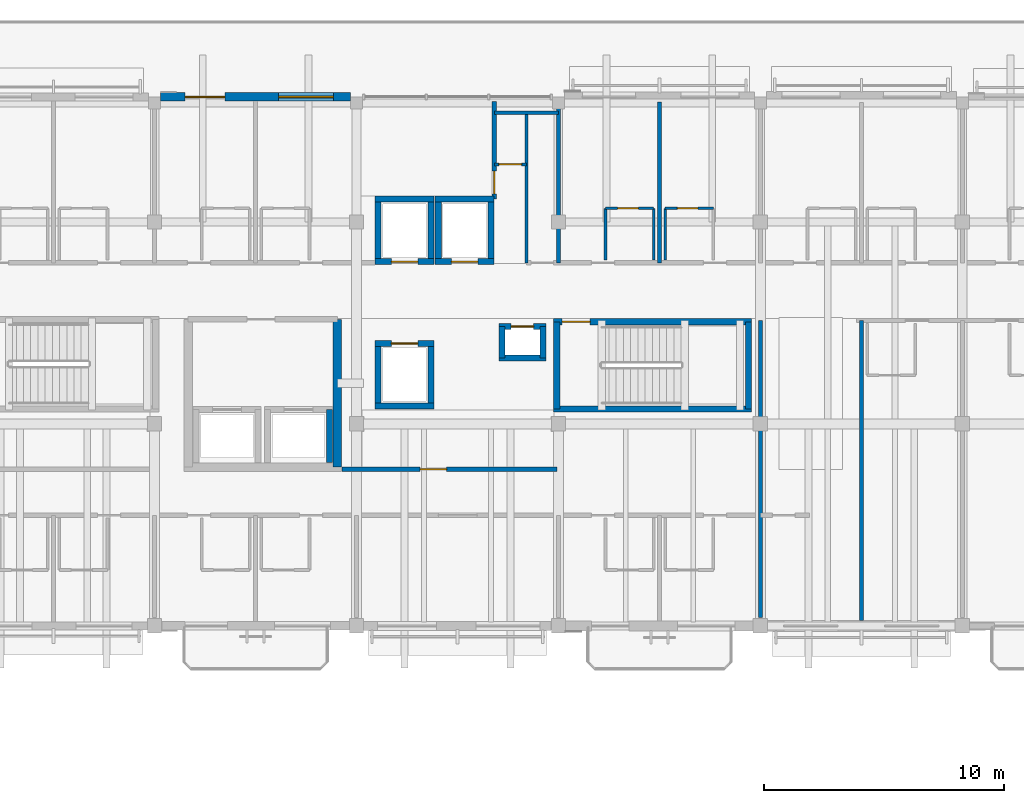
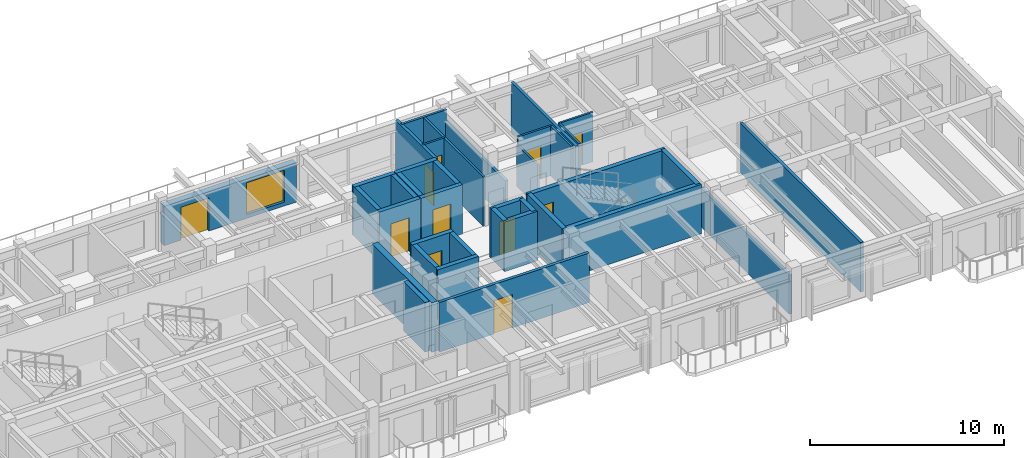
# One storey, part 13 of 22: 37 walls, 11 doors, 1 window, 12 openings.
"""IFC4 building model written with IfcOpenShell, lengths in metres."""

import ifcopenshell
import ifcopenshell.guid

model = None  # the IFC model being written
_history = None  # IfcOwnerHistory: only IFC2X3 demands one
_inside = {}  # id of a spatial element -> (the spatial element, [elements in it])
_under = {}  # id of a project, library or spatial element -> (it, [spatial elements below it])
_declared = {}  # id of a project -> (the project, [libraries it declares])
_typed = {}  # id of a type object -> (the type object, [elements of that type])
_made_of = {}  # id of a material, layer set ... -> (it, [elements and type objects made of it])


def new_model(schema):
    """Start an empty IFC model of exactly this schema.

    Asked for "IFC4X3", IfcOpenShell would pick the latest addendum, in which some entities
    have other attributes; the version numbers below select the first issue.
    IFC2X3 requires an IfcOwnerHistory on every rooted entity: one is made here for all.
    """
    global model, _history
    if schema == "IFC4X3":
        model = ifcopenshell.file(schema_version=(4, 3, 0, 0))
    else:
        model = ifcopenshell.file(schema=schema)
    _inside.clear()
    _under.clear()
    _declared.clear()
    _typed.clear()
    _made_of.clear()
    _history = None
    if model.schema == "IFC2X3":
        org = make("IfcOrganization", Name="unknown")
        user = make(
            "IfcPersonAndOrganization",
            ThePerson=make("IfcPerson", FamilyName="unknown"),
            TheOrganization=org,
        )
        app = make(
            "IfcApplication",
            ApplicationDeveloper=org,
            Version="unknown",
            ApplicationFullName="unknown",
            ApplicationIdentifier="unknown",
        )
        _history = make(
            "IfcOwnerHistory",
            OwningUser=user,
            OwningApplication=app,
            ChangeAction="ADDED",
            CreationDate=0,
        )
    return model


def make(cls, **values):
    """One entity of the class cls with the attributes given. An attribute that is None is left unset."""
    return model.create_entity(
        cls, **{name: value for name, value in values.items() if value is not None}
    )


def rooted(cls, **values):
    """An entity with a GlobalId (a new one), such as an element, a storey or a relation."""
    return make(cls, GlobalId=ifcopenshell.guid.new(), OwnerHistory=_history, **values)


def si_unit(unit_type, name, prefix=None):
    """IfcSIUnit, for example si_unit("LENGTHUNIT", "METRE", prefix="MILLI")."""
    return make("IfcSIUnit", UnitType=unit_type, Prefix=prefix, Name=name)


def assignment(units):
    """IfcUnitAssignment: the units of a project."""
    return None if units is None else make("IfcUnitAssignment", Units=units)


def point(xyz):
    """IfcCartesianPoint."""
    return None if xyz is None else make("IfcCartesianPoint", Coordinates=xyz)


def direction(xyz):
    """IfcDirection."""
    return None if xyz is None else make("IfcDirection", DirectionRatios=xyz)


def frame(location, z_axis=None, x_axis=None):
    """IfcAxis2Placement3D, a coordinate frame: its origin and axes. An axis left out is left unset."""
    return make(
        "IfcAxis2Placement3D",
        Location=point(location),
        Axis=direction(z_axis),
        RefDirection=direction(x_axis),
    )


def frame_2d(location, x_axis=None):
    """IfcAxis2Placement2D, a coordinate frame in the plane: its origin and x axis."""
    return make(
        "IfcAxis2Placement2D", Location=point(location), RefDirection=direction(x_axis)
    )


def origin():
    """The frame at (0, 0, 0) with its axes left unset."""
    return frame((0.0, 0.0, 0.0))


def place(relative_to, where):
    """IfcLocalPlacement: puts the frame where relative to a parent placement (None: the world)."""
    return make(
        "IfcLocalPlacement", PlacementRelTo=relative_to, RelativePlacement=where
    )


def context(
    kind, dimensions, precision=None, world=None, true_north=None, identifier=None
):
    """IfcGeometricRepresentationContext, for example the 3D "Model" context."""
    return make(
        "IfcGeometricRepresentationContext",
        ContextIdentifier=identifier,
        ContextType=kind,
        CoordinateSpaceDimension=dimensions,
        Precision=precision,
        WorldCoordinateSystem=world,
        TrueNorth=true_north,
    )


def subcontext(parent, identifier, kind, view, scale=None):
    """IfcGeometricRepresentationSubContext, for example "Body" below "Model"."""
    return make(
        "IfcGeometricRepresentationSubContext",
        ContextIdentifier=identifier,
        ContextType=kind,
        ParentContext=parent,
        TargetScale=scale,
        TargetView=view,
    )


def project(units=None, contexts=None):
    """IfcProject with its units and contexts."""
    return rooted(
        "IfcProject",
        Name="project",
        RepresentationContexts=contexts,
        UnitsInContext=assignment(units),
    )


def spatial(cls, under=None, at=None, **own):
    """A site, building, storey or space (cls), placed at a placement, below another one or the project."""
    s = rooted(cls, ObjectPlacement=at, **own)
    if under is not None:
        _under.setdefault(under.id(), (under, []))[1].append(s)
    return s


def profile(cls, at=None, kind="AREA", **sizes):
    """A parametric profile (cls). Its sizes go by their IFC names, for example OverallWidth=200.0."""
    return make(cls, ProfileType=kind, Position=at, **sizes)


def rectangle(**sizes):
    """IfcRectangleProfileDef."""
    return profile("IfcRectangleProfileDef", **sizes)


def extrude(swept, where, along, depth):
    """IfcExtrudedAreaSolid: the profile swept, set in the frame where, extruded along a direction by depth."""
    return make(
        "IfcExtrudedAreaSolid",
        SweptArea=swept,
        Position=where,
        ExtrudedDirection=direction(along),
        Depth=depth,
    )


def shape(context_of_items, identifier, shape_type, items):
    """IfcShapeRepresentation: the items that make up one representation, for example the "Body"."""
    return make(
        "IfcShapeRepresentation",
        ContextOfItems=context_of_items,
        RepresentationIdentifier=identifier,
        RepresentationType=shape_type,
        Items=items,
    )


def material(Name=None, Category=None):
    """IfcMaterial."""
    return make("IfcMaterial", Name=Name, Category=Category)


def layer(
    of_material, thickness, ventilated=None, Name=None, Category=None, Priority=None
):
    """IfcMaterialLayer: one layer of a wall or slab, of a material (None: an air gap)."""
    return make(
        "IfcMaterialLayer",
        Material=of_material,
        LayerThickness=thickness,
        IsVentilated=ventilated,
        Name=Name,
        Category=Category,
        Priority=Priority,
    )


def layer_set(layers, Name=None):
    """IfcMaterialLayerSet."""
    return make("IfcMaterialLayerSet", MaterialLayers=layers, LayerSetName=Name)


def made_of(thing, what):
    """Note that an element or type object is made of a material, layer set ...; save() writes the relation."""
    if what is not None:
        _made_of.setdefault(what.id(), (what, []))[1].append(thing)
    return thing


def type_object(cls, material=None, **own):
    """A type object (cls), such as IfcWallType, which elements share."""
    return made_of(rooted(cls, **own), material)


def element(
    cls,
    number,
    at=None,
    inside=None,
    cuts=None,
    type_object=None,
    material=None,
    context=None,
    identifier="Body",
    shape_type=None,
    held_by="IfcProductDefinitionShape",
    body=None,
    shapes=None,
    **own,
):
    """One element of the class cls, such as IfcWall. Its Tag is "e" and its number.

    at: its placement. inside: the storey or other place that contains it. cuts: it is an
    opening in that element (IfcRelVoidsElement). A single representation is given by context,
    identifier, shape_type and body (its items); several are given by shapes. held_by: the class
    of the entity that holds the representations. save() writes the other relations.
    """
    e = rooted(cls, Tag="e%d" % number, ObjectPlacement=at, **own)
    if body is not None:
        shapes = [shape(context, identifier, shape_type, body)]
    if shapes is not None:
        e.Representation = make(held_by, Representations=shapes)
    if inside is not None:
        _inside.setdefault(inside.id(), (inside, []))[1].append(e)
    if cuts is not None:
        rooted(
            "IfcRelVoidsElement", RelatingBuildingElement=cuts, RelatedOpeningElement=e
        )
    if type_object is not None:
        _typed.setdefault(type_object.id(), (type_object, []))[1].append(e)
    return made_of(e, material)


def fill(opening, filler):
    """IfcRelFillsElement: the door or window that sits in an opening."""
    return rooted(
        "IfcRelFillsElement",
        RelatingOpeningElement=opening,
        RelatedBuildingElement=filler,
    )


def aggregate(whole, parts):
    """IfcRelAggregates: a whole, such as a stair, and the parts it consists of."""
    return rooted("IfcRelAggregates", RelatingObject=whole, RelatedObjects=parts)


def save(model, path):
    """Write the relations noted so far, then the file.

    IfcRelAggregates (storeys below a building ...), IfcRelContainedInSpatialStructure (elements
    in a storey), IfcRelDefinesByType, IfcRelAssociatesMaterial and IfcRelDeclares: one each for
    every whole, place, type object, material and project.
    """
    for whole, parts in _under.values():
        aggregate(whole, parts)
    for where, things in _inside.values():
        rooted(
            "IfcRelContainedInSpatialStructure",
            RelatedElements=things,
            RelatingStructure=where,
        )
    for kind, things in _typed.values():
        rooted("IfcRelDefinesByType", RelatedObjects=things, RelatingType=kind)
    for what, things in _made_of.values():
        rooted("IfcRelAssociatesMaterial", RelatedObjects=things, RelatingMaterial=what)
    for by, libraries in _declared.values():
        rooted("IfcRelDeclares", RelatingContext=by, RelatedDefinitions=libraries)
    model.write(path)


model = new_model("IFC4")

# Units and contexts
model_context = context("Model", 3, precision=1e-05, world=origin(), true_north=direction((0.0, 1.0)))
body_context = subcontext(model_context, "Body", "Model", "MODEL_VIEW")
ifc_project = project(units=[si_unit("LENGTHUNIT", "METRE"), si_unit("AREAUNIT", "SQUARE_METRE"), si_unit("VOLUMEUNIT", "CUBIC_METRE"), si_unit("PLANEANGLEUNIT", "RADIAN"), si_unit("MASSUNIT", "GRAM", prefix="KILO")], contexts=[model_context])

# Site, building, storey
site_placement = place(None, origin())
site = spatial("IfcSite", under=ifc_project, at=site_placement, CompositionType="ELEMENT")
building_placement = place(site_placement, origin())
building = spatial("IfcBuilding", under=site, at=building_placement, Name="Cumbredor Promenade Congress Hotel", CompositionType="ELEMENT")
storey_placement = place(building_placement, frame((0.0, 0.0, 28.56005859375)))
storey = spatial("IfcBuildingStorey", under=building, at=storey_placement, Name="L08", CompositionType="ELEMENT", Elevation=28.56005859375)

# Wall
ifc_material_1 = material(Name="Concrete C50/60", Category="concrete")
ifc_layer_1 = layer(ifc_material_1, 0.35009765625, Name="Concrete C50/60", Category="concrete")
ifc_layer_set_1 = layer_set([ifc_layer_1], Name="Concrete C50/60")
wall_type_1 = type_object("IfcWallType", Name="Seismic Shear Core Wall 350mm", PredefinedType="SHEAR", material=ifc_layer_set_1)
wall_1_placement = place(storey_placement, frame((32.800048828125, 99.0, 0.0), z_axis=(0.0, 0.0, 1.0), x_axis=(0.0, 1.0, 0.0)))
element("IfcWall", 1, at=wall_1_placement, inside=storey, type_object=wall_type_1, Name="L08 Hotel Core Shear Wall E1", PredefinedType="SHEAR", context=body_context, shape_type="SweptSolid", body=[
    extrude(rectangle(XDim=6.14990234375, YDim=0.35009765625, at=frame_2d((3.074951171875, 0.0))), origin(), (0.0, 0.0, 1.0), 3.119873046875),
])

# Wall, opening, door
ifc_material_2 = material(Name="Moisture-resistant gypsum board on steel studs", Category="steel")
ifc_layer_2 = layer(ifc_material_2, 0.114990234375, Name="Moisture-resistant gypsum board on steel studs", Category="steel")
ifc_layer_set_2 = layer_set([ifc_layer_2], Name="Moisture-resistant gypsum board on steel studs")
wall_type_2 = type_object("IfcWallType", Name="WL-BATH-115", PredefinedType="PARTITIONING", material=ifc_layer_set_2)
wall_2_placement = place(storey_placement, frame((43.9599609375, 109.77001953125, 0.0), z_axis=(0.0, 0.0, 1.0), x_axis=(1.0, 0.0, 0.0)))
wall_2 = element("IfcWall", 2, at=wall_2_placement, inside=storey, type_object=wall_type_2, Name="L08 Interior Partition W-L08-BH-0806", PredefinedType="PARTITIONING", context=body_context, shape_type="SweptSolid", body=[
    extrude(rectangle(XDim=2.0, YDim=0.114990234375, at=frame_2d((1.0, 0.0))), origin(), (0.0, 0.0, 1.0), 3.119873046875),
])
opening_1_placement = place(wall_2_placement, frame((0.5, 0.0, 0.0)))
opening_1 = element("IfcOpeningElement", 3, at=opening_1_placement, cuts=wall_2, Name="Opening ID-01", PredefinedType="OPENING", context=body_context, shape_type="SweptSolid", body=[
    extrude(rectangle(XDim=0.860107421875, YDim=2.050048828125, at=frame_2d((0.43017578125, 1.02490234375))), frame((0.0, 0.0673828125, 0.0), z_axis=(0.0, -1.0, 0.0), x_axis=(1.0, 0.0, 0.0)), (0.0, 0.0, 1.0), 0.135009765625),
])
ifc_material_3 = material(Name="Kiln-dried tropical hardwood", Category="wood")
door_type_1 = type_object("IfcDoorType", Name="DR-BATH-860", OperationType="NOTDEFINED", PredefinedType="DOOR", material=ifc_material_3)
door_1_placement = place(opening_1_placement, origin())
door_1 = element("IfcDoor", 4, at=door_1_placement, inside=storey, type_object=door_type_1, Name="L08 Interior Door W-L08-BH-0806-01", OperationType="SINGLE_SWING_RIGHT", OverallHeight=2.050048828125, OverallWidth=0.860107421875, PredefinedType="DOOR", context=body_context, shape_type="SweptSolid", body=[
    extrude(rectangle(XDim=0.860107421875, YDim=2.050048828125, at=frame_2d((0.43017578125, 1.02490234375))), frame((0.0, 0.02490234375, 0.0), z_axis=(0.0, -1.0, 0.0), x_axis=(1.0, 0.0, 0.0)), (0.0, 0.0, 1.0), 0.050048828125),
])
fill(opening_1, door_1)

# Walls
wall_3_placement = place(storey_placement, frame((43.9599609375, 107.6201171875, 0.0), z_axis=(0.0, 0.0, 1.0), x_axis=(0.0, 1.0, 0.0)))
element("IfcWall", 5, at=wall_3_placement, inside=storey, type_object=wall_type_2, Name="L08 Interior Partition W-L08-BV1-0806", PredefinedType="PARTITIONING", context=body_context, shape_type="SweptSolid", body=[
    extrude(rectangle(XDim=2.14990234375, YDim=0.114990234375, at=frame_2d((1.074951171875, 0.0))), origin(), (0.0, 0.0, 1.0), 2.641845703125),
])
wall_4_placement = place(storey_placement, frame((45.9599609375, 107.6201171875, 0.0), z_axis=(0.0, 0.0, 1.0), x_axis=(0.0, 1.0, 0.0)))
element("IfcWall", 6, at=wall_4_placement, inside=storey, type_object=wall_type_2, Name="L08 Interior Partition W-L08-BV2-0806", PredefinedType="PARTITIONING", context=body_context, shape_type="SweptSolid", body=[
    extrude(rectangle(XDim=2.14990234375, YDim=0.114990234375, at=frame_2d((1.074951171875, 0.0))), origin(), (0.0, 0.0, 1.0), 3.119873046875),
])

# Wall, opening, door
wall_5_placement = place(storey_placement, frame((46.43994140625, 109.77001953125, 0.0), z_axis=(0.0, 0.0, 1.0), x_axis=(1.0, 0.0, 0.0)))
wall_5 = element("IfcWall", 7, at=wall_5_placement, inside=storey, type_object=wall_type_2, Name="L08 Interior Partition W-L08-BH-0807", PredefinedType="PARTITIONING", context=body_context, shape_type="SweptSolid", body=[
    extrude(rectangle(XDim=2.0, YDim=0.114990234375, at=frame_2d((1.0, 0.0))), origin(), (0.0, 0.0, 1.0), 3.119873046875),
])
opening_2_placement = place(wall_5_placement, frame((0.5, 0.0, 0.0)))
opening_2 = element("IfcOpeningElement", 8, at=opening_2_placement, cuts=wall_5, Name="Opening ID-01", PredefinedType="OPENING", context=body_context, shape_type="SweptSolid", body=[
    extrude(rectangle(XDim=0.860107421875, YDim=2.050048828125, at=frame_2d((0.43017578125, 1.02490234375))), frame((0.0, 0.0673828125, 0.0), z_axis=(0.0, -1.0, 0.0), x_axis=(1.0, 0.0, 0.0)), (0.0, 0.0, 1.0), 0.135009765625),
])
door_2_placement = place(opening_2_placement, origin())
door_2 = element("IfcDoor", 9, at=door_2_placement, inside=storey, type_object=door_type_1, Name="L08 Interior Door W-L08-BH-0807-01", OperationType="SINGLE_SWING_LEFT", OverallHeight=2.050048828125, OverallWidth=0.860107421875, PredefinedType="DOOR", context=body_context, shape_type="SweptSolid", body=[
    extrude(rectangle(XDim=0.860107421875, YDim=2.050048828125, at=frame_2d((0.43017578125, 1.02490234375))), frame((0.0, 0.02490234375, 0.0), z_axis=(0.0, -1.0, 0.0), x_axis=(1.0, 0.0, 0.0)), (0.0, 0.0, 1.0), 0.050048828125),
])
fill(opening_2, door_2)

# Wall
wall_6_placement = place(storey_placement, frame((46.43994140625, 107.6201171875, 0.0), z_axis=(0.0, 0.0, 1.0), x_axis=(0.0, 1.0, 0.0)))
element("IfcWall", 10, at=wall_6_placement, inside=storey, type_object=wall_type_2, Name="L08 Interior Partition W-L08-BV1-0807", PredefinedType="PARTITIONING", context=body_context, shape_type="SweptSolid", body=[
    extrude(rectangle(XDim=2.14990234375, YDim=0.114990234375, at=frame_2d((1.074951171875, 0.0))), origin(), (0.0, 0.0, 1.0), 3.119873046875),
])

# Wall, opening, door
ifc_material_4 = material(Name="Fire-rated hotel corridor wall")
ifc_layer_3 = layer(ifc_material_4, 0.179931640625, Name="Fire-rated hotel corridor wall")
ifc_layer_set_3 = layer_set([ifc_layer_3], Name="Fire-rated hotel corridor wall")
wall_type_3 = type_object("IfcWallType", Name="WL-CORR-180", PredefinedType="PARTITIONING", material=ifc_layer_set_3)
wall_7_placement = place(storey_placement, frame((39.330078125, 110.14990234375, 0.0), z_axis=(0.0, 0.0, 1.0), x_axis=(0.0, 1.0, 0.0)))
wall_7 = element("IfcWall", 11, at=wall_7_placement, inside=storey, type_object=wall_type_3, Name="L08 Interior Partition W-L08-SALON-E", PredefinedType="PARTITIONING", context=body_context, shape_type="SweptSolid", body=[
    extrude(rectangle(XDim=4.06005859375, YDim=0.179931640625, at=frame_2d((2.030029296875, 0.0))), origin(), (0.0, 0.0, 1.0), 3.119873046875),
])
opening_3_placement = place(wall_7_placement, frame((0.219970703125, 0.0, 0.0)))
opening_3 = element("IfcOpeningElement", 12, at=opening_3_placement, cuts=wall_7, Name="Opening FD-03", PredefinedType="OPENING", context=body_context, shape_type="SweptSolid", body=[
    extrude(rectangle(XDim=0.93994140625, YDim=2.10009765625, at=frame_2d((0.469970703125, 1.050048828125))), frame((0.0, 0.10009765625, 0.0), z_axis=(0.0, -1.0, 0.0), x_axis=(1.0, 0.0, 0.0)), (0.0, 0.0, 1.0), 0.199951171875),
])
ifc_material_5 = material(Name="Painted galvanized steel fire door", Category="steel")
door_type_2 = type_object("IfcDoorType", Name="DR-SGL-FD60-950", OperationType="NOTDEFINED", PredefinedType="DOOR", material=ifc_material_5)
door_3_placement = place(opening_3_placement, origin())
door_3 = element("IfcDoor", 13, at=door_3_placement, inside=storey, type_object=door_type_2, Name="L08 Interior Door W-L08-SALON-E-01", OperationType="SINGLE_SWING_LEFT", OverallHeight=2.10009765625, OverallWidth=0.93994140625, PredefinedType="DOOR", context=body_context, shape_type="SweptSolid", body=[
    extrude(rectangle(XDim=0.93994140625, YDim=2.10009765625, at=frame_2d((0.469970703125, 1.050048828125))), frame((0.0, 0.02490234375, 0.0), z_axis=(0.0, -1.0, 0.0), x_axis=(1.0, 0.0, 0.0)), (0.0, 0.0, 1.0), 0.050048828125),
])
fill(opening_3, door_3)

wall_8_placement = place(storey_placement, frame((33.0, 98.919921875, 0.0), z_axis=(0.0, 0.0, 1.0), x_axis=(1.0, 0.0, 0.0)))
wall_8 = element("IfcWall", 14, at=wall_8_placement, inside=storey, type_object=wall_type_3, Name="L08 Interior Partition W-L08-BIZ-S", PredefinedType="PARTITIONING", context=body_context, shape_type="SweptSolid", body=[
    extrude(rectangle(XDim=8.929931640625, YDim=0.179931640625, at=frame_2d((4.46484375, 0.0))), origin(), (0.0, 0.0, 1.0), 3.119873046875),
])
opening_4_placement = place(wall_8_placement, frame((3.25, 0.0, 0.0)))
opening_4 = element("IfcOpeningElement", 15, at=opening_4_placement, cuts=wall_8, Name="Opening FD-04", PredefinedType="OPENING", context=body_context, shape_type="SweptSolid", body=[
    extrude(rectangle(XDim=1.10009765625, YDim=2.10009765625, at=frame_2d((0.550048828125, 1.050048828125))), frame((0.0, 0.10009765625, 0.0), z_axis=(0.0, -1.0, 0.0), x_axis=(1.0, 0.0, 0.0)), (0.0, 0.0, 1.0), 0.199951171875),
])
door_type_3 = type_object("IfcDoorType", Name="DR-SGL-FD60-1100", OperationType="NOTDEFINED", PredefinedType="DOOR", material=ifc_material_5)
door_4_placement = place(opening_4_placement, origin())
door_4 = element("IfcDoor", 16, at=door_4_placement, inside=storey, type_object=door_type_3, Name="L08 Interior Door W-L08-BIZ-S-01", OperationType="SINGLE_SWING_RIGHT", OverallHeight=2.10009765625, OverallWidth=1.10009765625, PredefinedType="DOOR", context=body_context, shape_type="SweptSolid", body=[
    extrude(rectangle(XDim=1.10009765625, YDim=2.10009765625, at=frame_2d((0.550048828125, 1.050048828125))), frame((0.0, 0.02490234375, 0.0), z_axis=(0.0, -1.0, 0.0), x_axis=(1.0, 0.0, 0.0)), (0.0, 0.0, 1.0), 0.050048828125),
])
fill(opening_4, door_4)

# Wall, openings, door, window
ifc_material_6 = material(Name="Concrete C40/50", Category="concrete")
ifc_layer_4 = layer(ifc_material_6, 0.35009765625, Name="Concrete C40/50", Category="concrete")
ifc_layer_set_4 = layer_set([ifc_layer_4], Name="Concrete C40/50")
wall_type_4 = type_object("IfcWallType", Name="WL-EXT-350", PredefinedType="SOLIDWALL", material=ifc_layer_set_4)
wall_9_placement = place(storey_placement, frame((25.450927734375, 114.39990234375, 0.0), z_axis=(0.0, 0.0, 1.0), x_axis=(1.0, 0.0, 0.0)))
wall_9 = element("IfcWall", 17, at=wall_9_placement, inside=storey, type_object=wall_type_4, Name="L08 Stepped Congress Hotel Wing North Envelope Wall 3", PredefinedType="SOLIDWALL", context=body_context, shape_type="SweptSolid", body=[
    extrude(rectangle(XDim=7.898193359375, YDim=0.35009765625, at=frame_2d((3.94921875, 0.0))), origin(), (0.0, 0.0, 1.0), 2.493896484375),
])
opening_5_placement = place(wall_9_placement, frame((1.02392578125, 0.0, 0.0)))
opening_5 = element("IfcOpeningElement", 18, at=opening_5_placement, cuts=wall_9, Name="Opening TD-02", PredefinedType="OPENING", context=body_context, shape_type="SweptSolid", body=[
    extrude(rectangle(XDim=1.64990234375, YDim=2.080078125, at=frame_2d((0.824951171875, 1.0400390625))), frame((0.0, 0.18505859375, 0.0), z_axis=(0.0, -1.0, 0.0), x_axis=(1.0, 0.0, 0.0)), (0.0, 0.0, 1.0), 0.3701171875),
])
opening_6_placement = place(wall_9_placement, frame((4.908935546875, 0.0, 0.25)))
opening_6 = element("IfcOpeningElement", 19, at=opening_6_placement, cuts=wall_9, Name="Opening WN-40", PredefinedType="OPENING", context=body_context, shape_type="SweptSolid", body=[
    extrude(rectangle(XDim=2.280029296875, YDim=2.0, at=frame_2d((1.14013671875, 1.0))), frame((0.0, 0.18505859375, 0.0), z_axis=(0.0, -1.0, 0.0), x_axis=(1.0, 0.0, 0.0)), (0.0, 0.0, 1.0), 0.3701171875),
])
ifc_material_7 = material(Name="Thermally broken anodized aluminium and laminated safety glass", Category="aluminium")
door_type_4 = type_object("IfcDoorType", Name="EXT-DR-TER-1650x2080", OperationType="DOUBLE_DOOR_SINGLE_SWING", PredefinedType="DOOR", material=ifc_material_7)
door_5_placement = place(opening_5_placement, origin())
door_5 = element("IfcDoor", 20, at=door_5_placement, inside=storey, type_object=door_type_4, Name="L08 Sky Garden Terrace Access Door 86", OperationType="DOUBLE_DOOR_SINGLE_SWING", OverallHeight=2.080078125, OverallWidth=1.64990234375, PredefinedType="DOOR", context=body_context, shape_type="SweptSolid", body=[
    extrude(rectangle(XDim=1.64990234375, YDim=2.080078125, at=frame_2d((0.824951171875, 1.0400390625))), frame((0.0, 0.02490234375, 0.0), z_axis=(0.0, -1.0, 0.0), x_axis=(1.0, 0.0, 0.0)), (0.0, 0.0, 1.0), 0.050048828125),
])
fill(opening_5, door_5)
ifc_material_8 = material(Name="Thermally broken anodized aluminium and low-E glass", Category="aluminium")
window_type = type_object("IfcWindowType", Name="Hospitality Floor-to-Ceiling Window WN-40 2280x2000", PartitioningType="DOUBLE_PANEL_VERTICAL", PredefinedType="WINDOW", material=ifc_material_8)
window_placement = place(opening_6_placement, origin())
window = element("IfcWindow", 21, at=window_placement, inside=storey, type_object=window_type, Name="L08 Terrace Companion Floor-to-Ceiling Window 0662", OverallHeight=2.0, OverallWidth=2.280029296875, PartitioningType="DOUBLE_PANEL_VERTICAL", PredefinedType="WINDOW", context=body_context, shape_type="SweptSolid", body=[
    extrude(rectangle(XDim=2.280029296875, YDim=2.0, at=frame_2d((1.14013671875, 1.0))), frame((0.0, 0.030029296875, 0.0), z_axis=(0.0, -1.0, 0.0), x_axis=(1.0, 0.0, 0.0)), (0.0, 0.0, 1.0), 0.06005859375),
])
fill(opening_6, window)

# Wall, opening, door
ifc_material_9 = material(Name="Gypsum board on steel studs", Category="steel")
ifc_layer_5 = layer(ifc_material_9, 0.125, Name="Gypsum board on steel studs", Category="steel")
ifc_layer_set_5 = layer_set([ifc_layer_5], Name="Gypsum board on steel studs")
wall_type_5 = type_object("IfcWallType", Name="WL-PART-125", PredefinedType="PARTITIONING", material=ifc_layer_set_5)
wall_10_placement = place(storey_placement, frame((39.330078125, 111.60009765625, 0.0), z_axis=(0.0, 0.0, 1.0), x_axis=(1.0, 0.0, 0.0)))
wall_10 = element("IfcWall", 22, at=wall_10_placement, inside=storey, type_object=wall_type_5, Name="L08 Interior Partition W-L08-HK-S", PredefinedType="PARTITIONING", context=body_context, shape_type="SweptSolid", body=[
    extrude(rectangle(XDim=1.329833984375, YDim=0.125, at=frame_2d((0.6650390625, 0.0))), origin(), (0.0, 0.0, 1.0), 3.119873046875),
])
opening_7_placement = place(wall_10_placement, frame((0.195068359375, 0.0, 0.0)))
opening_7 = element("IfcOpeningElement", 23, at=opening_7_placement, cuts=wall_10, Name="Opening FD-03", PredefinedType="OPENING", context=body_context, shape_type="SweptSolid", body=[
    extrude(rectangle(XDim=0.93994140625, YDim=2.10009765625, at=frame_2d((0.469970703125, 1.050048828125))), frame((0.0, 0.072509765625, 0.0), z_axis=(0.0, -1.0, 0.0), x_axis=(1.0, 0.0, 0.0)), (0.0, 0.0, 1.0), 0.14501953125),
])
door_6_placement = place(opening_7_placement, origin())
door_6 = element("IfcDoor", 24, at=door_6_placement, inside=storey, type_object=door_type_2, Name="L08 Interior Door W-L08-HK-S-01", OperationType="SINGLE_SWING_LEFT", OverallHeight=2.10009765625, OverallWidth=0.93994140625, PredefinedType="DOOR", context=body_context, shape_type="SweptSolid", body=[
    extrude(rectangle(XDim=0.93994140625, YDim=2.10009765625, at=frame_2d((0.469970703125, 1.050048828125))), frame((0.0, 0.02490234375, 0.0), z_axis=(0.0, -1.0, 0.0), x_axis=(1.0, 0.0, 0.0)), (0.0, 0.0, 1.0), 0.050048828125),
])
fill(opening_7, door_6)

# Walls
wall_11_placement = place(storey_placement, frame((40.659912109375, 107.5, 0.0), z_axis=(0.0, 0.0, 1.0), x_axis=(0.0, 1.0, 0.0)))
element("IfcWall", 25, at=wall_11_placement, inside=storey, type_object=wall_type_5, Name="L08 Interior Partition W-L08-HK-DIV", PredefinedType="PARTITIONING", context=body_context, shape_type="SweptSolid", body=[
    extrude(rectangle(XDim=6.25, YDim=0.125, at=frame_2d((3.125, 0.0))), origin(), (0.0, 0.0, 1.0), 3.119873046875),
])
ifc_material_10 = material(Name="Acoustic gypsum partition on steel studs", Category="steel")
ifc_layer_6 = layer(ifc_material_10, 0.139892578125, Name="Acoustic gypsum partition on steel studs", Category="steel")
ifc_layer_set_6 = layer_set([ifc_layer_6], Name="Acoustic gypsum partition on steel studs")
wall_type_6 = type_object("IfcWallType", Name="WL-PART-140", PredefinedType="PARTITIONING", material=ifc_layer_set_6)
wall_12_placement = place(storey_placement, frame((39.330078125, 113.75, 0.0), z_axis=(0.0, 0.0, 1.0), x_axis=(1.0, 0.0, 0.0)))
element("IfcWall", 26, at=wall_12_placement, inside=storey, type_object=wall_type_6, Name="L08 Interior Partition W-L08-HK-N", PredefinedType="PARTITIONING", context=body_context, shape_type="SweptSolid", body=[
    extrude(rectangle(XDim=2.669921875, YDim=0.139892578125, at=frame_2d((1.3349609375, 0.0))), origin(), (0.0, 0.0, 1.0), 3.119873046875),
])
ifc_layer_7 = layer(ifc_material_6, 0.2548828125, Name="Concrete C40/50", Category="concrete")
ifc_layer_set_7 = layer_set([ifc_layer_7], Name="Concrete C40/50")
wall_type_7 = type_object("IfcWallType", Name="WL-SHAFT-250", PredefinedType="SOLIDWALL", material=ifc_layer_set_7)
wall_13_placement = place(storey_placement, frame((41.802490234375, 101.419921875, 0.0), z_axis=(0.0, 0.0, 1.0), x_axis=(1.0, 0.0, 0.0)))
element("IfcWall", 27, at=wall_13_placement, inside=storey, type_object=wall_type_7, Name="STAIR-ST-03-L08 Shaft Wall South", PredefinedType="SOLIDWALL", context=body_context, shape_type="SweptSolid", body=[
    extrude(rectangle(XDim=8.22509765625, YDim=0.2548828125, at=frame_2d((4.112548828125, 0.0))), origin(), (0.0, 0.0, 1.0), 3.119873046875),
])

# Wall, opening, door
wall_14_placement = place(storey_placement, frame((41.802490234375, 105.050048828125, 0.0), z_axis=(0.0, 0.0, 1.0), x_axis=(1.0, 0.0, 0.0)))
wall_14 = element("IfcWall", 28, at=wall_14_placement, inside=storey, type_object=wall_type_7, Name="STAIR-ST-03-L08 Shaft Wall North", PredefinedType="SOLIDWALL", context=body_context, shape_type="SweptSolid", body=[
    extrude(rectangle(XDim=8.22509765625, YDim=0.2548828125, at=frame_2d((4.112548828125, 0.0))), origin(), (0.0, 0.0, 1.0), 3.119873046875),
])
opening_8_placement = place(wall_14_placement, frame((0.35009765625, 0.0, 0.0)))
opening_8 = element("IfcOpeningElement", 29, at=opening_8_placement, cuts=wall_14, Name="Opening SD-01", PredefinedType="OPENING", context=body_context, shape_type="SweptSolid", body=[
    extrude(rectangle(XDim=1.159912109375, YDim=2.14990234375, at=frame_2d((0.580078125, 1.074951171875))), frame((0.0, 0.137451171875, 0.0), z_axis=(0.0, -1.0, 0.0), x_axis=(1.0, 0.0, 0.0)), (0.0, 0.0, 1.0), 0.27490234375),
])
door_type_5 = type_object("IfcDoorType", Name="DR-STAIR-FD90-1150", OperationType="NOTDEFINED", PredefinedType="DOOR", material=ifc_material_5)
door_7_placement = place(opening_8_placement, origin())
door_7 = element("IfcDoor", 30, at=door_7_placement, inside=storey, type_object=door_type_5, Name="L08 Protected Exit Stair ST-03 Door", OperationType="SINGLE_SWING_RIGHT", OverallHeight=2.14990234375, OverallWidth=1.159912109375, PredefinedType="DOOR", context=body_context, shape_type="SweptSolid", body=[
    extrude(rectangle(XDim=1.159912109375, YDim=2.14990234375, at=frame_2d((0.580078125, 1.074951171875))), frame((0.0, 0.02490234375, 0.0), z_axis=(0.0, -1.0, 0.0), x_axis=(1.0, 0.0, 0.0)), (0.0, 0.0, 1.0), 0.050048828125),
])
fill(opening_8, door_7)

# Walls
for number, where, z_axis, x_axis, name in (
    (31, (41.929931640625, 101.419921875, 0.0), (0.0, 0.0, 1.0), (0.0, 1.0, 0.0), "STAIR-ST-03-L08 Shaft Wall West"),
    (32, (49.89990234375, 101.419921875, 0.0), (0.0, 0.0, 1.0), (0.0, 1.0, 0.0), "STAIR-ST-03-L08 Shaft Wall East"),
):
    element("IfcWall", number, at=place(storey_placement, frame(where, z_axis=z_axis, x_axis=x_axis)), inside=storey, type_object=wall_type_7, Name=name, PredefinedType="SOLIDWALL", context=body_context, shape_type="SweptSolid", body=[
        extrude(rectangle(XDim=3.630126953125, YDim=0.2548828125, at=frame_2d((1.81494140625, 0.0))), origin(), (0.0, 0.0, 1.0), 3.119873046875),
    ])
wall_15_placement = place(storey_placement, frame((32.469970703125, 99.199951171875, 0.0), z_axis=(0.0, 0.0, 1.0), x_axis=(0.0, 1.0, 0.0)))
element("IfcWall", 33, at=wall_15_placement, inside=storey, type_object=wall_type_7, Name="SHAFT-FF-02-L08 Shaft Wall East", PredefinedType="SOLIDWALL", context=body_context, shape_type="SweptSolid", body=[
    extrude(rectangle(XDim=2.199951171875, YDim=0.2548828125, at=frame_2d((1.10009765625, 0.0))), origin(), (0.0, 0.0, 1.0), 3.119873046875),
])

# Wall, opening, door
wall_16_placement = place(storey_placement, frame((34.37255859375, 107.550048828125, 0.0), z_axis=(0.0, 0.0, 1.0), x_axis=(1.0, 0.0, 0.0)))
wall_16 = element("IfcWall", 34, at=wall_16_placement, inside=storey, type_object=wall_type_7, Name="SHAFT-PL-01-L08 Shaft Wall South", PredefinedType="SOLIDWALL", context=body_context, shape_type="SweptSolid", body=[
    extrude(rectangle(XDim=2.454833984375, YDim=0.2548828125, at=frame_2d((1.2275390625, 0.0))), origin(), (0.0, 0.0, 1.0), 3.119873046875),
])
opening_9_placement = place(wall_16_placement, frame((0.677490234375, 0.0, 0.0)))
opening_9 = element("IfcOpeningElement", 35, at=opening_9_placement, cuts=wall_16, Name="Opening LD-01", PredefinedType="OPENING", context=body_context, shape_type="SweptSolid", body=[
    extrude(rectangle(XDim=1.10009765625, YDim=2.14990234375, at=frame_2d((0.550048828125, 1.074951171875))), frame((0.0, 0.137451171875, 0.0), z_axis=(0.0, -1.0, 0.0), x_axis=(1.0, 0.0, 0.0)), (0.0, 0.0, 1.0), 0.27490234375),
])
ifc_material_11 = material(Name="Brushed stainless steel", Category="steel")
door_type_6 = type_object("IfcDoorType", Name="Lift Landing Sliding Door LD-01 1100x2150", OperationType="DOUBLE_DOOR_SLIDING", PredefinedType="DOOR", material=ifc_material_11)
door_8_placement = place(opening_9_placement, origin())
door_8 = element("IfcDoor", 36, at=door_8_placement, inside=storey, type_object=door_type_6, Name="L08 Hotel Passenger Lift PL-01 Sliding Landing Door", OperationType="DOUBLE_DOOR_SLIDING", OverallHeight=2.14990234375, OverallWidth=1.10009765625, PredefinedType="DOOR", context=body_context, shape_type="SweptSolid", body=[
    extrude(rectangle(XDim=1.10009765625, YDim=2.14990234375, at=frame_2d((0.550048828125, 1.074951171875))), frame((0.0, 0.02490234375, 0.0), z_axis=(0.0, -1.0, 0.0), x_axis=(1.0, 0.0, 0.0)), (0.0, 0.0, 1.0), 0.050048828125),
])
fill(opening_9, door_8)

# Walls
wall_17_placement = place(storey_placement, frame((34.37255859375, 110.14990234375, 0.0), z_axis=(0.0, 0.0, 1.0), x_axis=(1.0, 0.0, 0.0)))
element("IfcWall", 37, at=wall_17_placement, inside=storey, type_object=wall_type_7, Name="SHAFT-PL-01-L08 Shaft Wall North", PredefinedType="SOLIDWALL", context=body_context, shape_type="SweptSolid", body=[
    extrude(rectangle(XDim=2.454833984375, YDim=0.2548828125, at=frame_2d((1.2275390625, 0.0))), origin(), (0.0, 0.0, 1.0), 3.119873046875),
])
for number, where, z_axis, x_axis, name in (
    (38, (34.5, 107.550048828125, 0.0), (0.0, 0.0, 1.0), (0.0, 1.0, 0.0), "SHAFT-PL-01-L08 Shaft Wall West"),
    (39, (36.699951171875, 107.550048828125, 0.0), (0.0, 0.0, 1.0), (0.0, 1.0, 0.0), "SHAFT-PL-01-L08 Shaft Wall East"),
):
    element("IfcWall", number, at=place(storey_placement, frame(where, z_axis=z_axis, x_axis=x_axis)), inside=storey, type_object=wall_type_7, Name=name, PredefinedType="SOLIDWALL", context=body_context, shape_type="SweptSolid", body=[
        extrude(rectangle(XDim=2.599853515625, YDim=0.2548828125, at=frame_2d((1.2998046875, 0.0))), origin(), (0.0, 0.0, 1.0), 3.119873046875),
    ])

# Wall, opening, door
wall_18_placement = place(storey_placement, frame((36.87255859375, 107.550048828125, 0.0), z_axis=(0.0, 0.0, 1.0), x_axis=(1.0, 0.0, 0.0)))
wall_18 = element("IfcWall", 40, at=wall_18_placement, inside=storey, type_object=wall_type_7, Name="SHAFT-PL-02-L08 Shaft Wall South", PredefinedType="SOLIDWALL", context=body_context, shape_type="SweptSolid", body=[
    extrude(rectangle(XDim=2.454833984375, YDim=0.2548828125, at=frame_2d((1.2275390625, 0.0))), origin(), (0.0, 0.0, 1.0), 3.119873046875),
])
opening_10_placement = place(wall_18_placement, frame((0.677490234375, 0.0, 0.0)))
opening_10 = element("IfcOpeningElement", 41, at=opening_10_placement, cuts=wall_18, Name="Opening LD-01", PredefinedType="OPENING", context=body_context, shape_type="SweptSolid", body=[
    extrude(rectangle(XDim=1.10009765625, YDim=2.14990234375, at=frame_2d((0.550048828125, 1.074951171875))), frame((0.0, 0.137451171875, 0.0), z_axis=(0.0, -1.0, 0.0), x_axis=(1.0, 0.0, 0.0)), (0.0, 0.0, 1.0), 0.27490234375),
])
door_9_placement = place(opening_10_placement, origin())
door_9 = element("IfcDoor", 42, at=door_9_placement, inside=storey, type_object=door_type_6, Name="L08 Hotel Passenger Lift PL-02 Sliding Landing Door", OperationType="DOUBLE_DOOR_SLIDING", OverallHeight=2.14990234375, OverallWidth=1.10009765625, PredefinedType="DOOR", context=body_context, shape_type="SweptSolid", body=[
    extrude(rectangle(XDim=1.10009765625, YDim=2.14990234375, at=frame_2d((0.550048828125, 1.074951171875))), frame((0.0, 0.02490234375, 0.0), z_axis=(0.0, -1.0, 0.0), x_axis=(1.0, 0.0, 0.0)), (0.0, 0.0, 1.0), 0.050048828125),
])
fill(opening_10, door_9)

# Walls
wall_19_placement = place(storey_placement, frame((36.87255859375, 110.14990234375, 0.0), z_axis=(0.0, 0.0, 1.0), x_axis=(1.0, 0.0, 0.0)))
element("IfcWall", 43, at=wall_19_placement, inside=storey, type_object=wall_type_7, Name="SHAFT-PL-02-L08 Shaft Wall North", PredefinedType="SOLIDWALL", context=body_context, shape_type="SweptSolid", body=[
    extrude(rectangle(XDim=2.454833984375, YDim=0.2548828125, at=frame_2d((1.2275390625, 0.0))), origin(), (0.0, 0.0, 1.0), 3.119873046875),
])
for number, where, z_axis, x_axis, name in (
    (44, (37.0, 107.550048828125, 0.0), (0.0, 0.0, 1.0), (0.0, 1.0, 0.0), "SHAFT-PL-02-L08 Shaft Wall West"),
    (45, (39.199951171875, 107.550048828125, 0.0), (0.0, 0.0, 1.0), (0.0, 1.0, 0.0), "SHAFT-PL-02-L08 Shaft Wall East"),
):
    element("IfcWall", number, at=place(storey_placement, frame(where, z_axis=z_axis, x_axis=x_axis)), inside=storey, type_object=wall_type_7, Name=name, PredefinedType="SOLIDWALL", context=body_context, shape_type="SweptSolid", body=[
        extrude(rectangle(XDim=2.599853515625, YDim=0.2548828125, at=frame_2d((1.2998046875, 0.0))), origin(), (0.0, 0.0, 1.0), 3.119873046875),
    ])
wall_20_placement = place(storey_placement, frame((34.37255859375, 101.550048828125, 0.0), z_axis=(0.0, 0.0, 1.0), x_axis=(1.0, 0.0, 0.0)))
element("IfcWall", 46, at=wall_20_placement, inside=storey, type_object=wall_type_7, Name="SHAFT-PL-03-L08 Shaft Wall South", PredefinedType="SOLIDWALL", context=body_context, shape_type="SweptSolid", body=[
    extrude(rectangle(XDim=2.454833984375, YDim=0.2548828125, at=frame_2d((1.2275390625, 0.0))), origin(), (0.0, 0.0, 1.0), 3.119873046875),
])

# Wall, opening, door
wall_21_placement = place(storey_placement, frame((34.37255859375, 104.14990234375, 0.0), z_axis=(0.0, 0.0, 1.0), x_axis=(1.0, 0.0, 0.0)))
wall_21 = element("IfcWall", 47, at=wall_21_placement, inside=storey, type_object=wall_type_7, Name="SHAFT-PL-03-L08 Shaft Wall North", PredefinedType="SOLIDWALL", context=body_context, shape_type="SweptSolid", body=[
    extrude(rectangle(XDim=2.454833984375, YDim=0.2548828125, at=frame_2d((1.2275390625, 0.0))), origin(), (0.0, 0.0, 1.0), 3.119873046875),
])
opening_11_placement = place(wall_21_placement, frame((0.677490234375, 0.0, 0.0)))
opening_11 = element("IfcOpeningElement", 48, at=opening_11_placement, cuts=wall_21, Name="Opening LD-01", PredefinedType="OPENING", context=body_context, shape_type="SweptSolid", body=[
    extrude(rectangle(XDim=1.10009765625, YDim=2.14990234375, at=frame_2d((0.550048828125, 1.074951171875))), frame((0.0, 0.137451171875, 0.0), z_axis=(0.0, -1.0, 0.0), x_axis=(1.0, 0.0, 0.0)), (0.0, 0.0, 1.0), 0.27490234375),
])
door_10_placement = place(opening_11_placement, origin())
door_10 = element("IfcDoor", 49, at=door_10_placement, inside=storey, type_object=door_type_6, Name="L08 Hotel Passenger Lift PL-03 Sliding Landing Door", OperationType="DOUBLE_DOOR_SLIDING", OverallHeight=2.14990234375, OverallWidth=1.10009765625, PredefinedType="DOOR", context=body_context, shape_type="SweptSolid", body=[
    extrude(rectangle(XDim=1.10009765625, YDim=2.14990234375, at=frame_2d((0.550048828125, 1.074951171875))), frame((0.0, 0.02490234375, 0.0), z_axis=(0.0, -1.0, 0.0), x_axis=(1.0, 0.0, 0.0)), (0.0, 0.0, 1.0), 0.050048828125),
])
fill(opening_11, door_10)

# Walls
for number, where, z_axis, x_axis, name in (
    (50, (34.5, 101.550048828125, 0.0), (0.0, 0.0, 1.0), (0.0, 1.0, 0.0), "SHAFT-PL-03-L08 Shaft Wall West"),
    (51, (36.699951171875, 101.550048828125, 0.0), (0.0, 0.0, 1.0), (0.0, 1.0, 0.0), "SHAFT-PL-03-L08 Shaft Wall East"),
):
    element("IfcWall", number, at=place(storey_placement, frame(where, z_axis=z_axis, x_axis=x_axis)), inside=storey, type_object=wall_type_7, Name=name, PredefinedType="SOLIDWALL", context=body_context, shape_type="SweptSolid", body=[
        extrude(rectangle(XDim=2.599853515625, YDim=0.2548828125, at=frame_2d((1.2998046875, 0.0))), origin(), (0.0, 0.0, 1.0), 3.119873046875),
    ])
wall_22_placement = place(storey_placement, frame((39.5224609375, 103.550048828125, 0.0), z_axis=(0.0, 0.0, 1.0), x_axis=(1.0, 0.0, 0.0)))
element("IfcWall", 52, at=wall_22_placement, inside=storey, type_object=wall_type_7, Name="RISER-MEP-R1-L08 Shaft Wall South", PredefinedType="SOLIDWALL", context=body_context, shape_type="SweptSolid", body=[
    extrude(rectangle(XDim=1.955078125, YDim=0.2548828125, at=frame_2d((0.9775390625, 0.0))), origin(), (0.0, 0.0, 1.0), 3.119873046875),
])

# Wall, opening, door
wall_23_placement = place(storey_placement, frame((39.5224609375, 104.85009765625, 0.0), z_axis=(0.0, 0.0, 1.0), x_axis=(1.0, 0.0, 0.0)))
wall_23 = element("IfcWall", 53, at=wall_23_placement, inside=storey, type_object=wall_type_7, Name="RISER-MEP-R1-L08 Shaft Wall North", PredefinedType="SOLIDWALL", context=body_context, shape_type="SweptSolid", body=[
    extrude(rectangle(XDim=1.955078125, YDim=0.2548828125, at=frame_2d((0.9775390625, 0.0))), origin(), (0.0, 0.0, 1.0), 3.119873046875),
])
opening_12_placement = place(wall_23_placement, frame((0.507568359375, 0.0, 0.0)))
opening_12 = element("IfcOpeningElement", 54, at=opening_12_placement, cuts=wall_23, Name="Opening FD-03", PredefinedType="OPENING", context=body_context, shape_type="SweptSolid", body=[
    extrude(rectangle(XDim=0.93994140625, YDim=2.10009765625, at=frame_2d((0.469970703125, 1.050048828125))), frame((0.0, 0.137451171875, 0.0), z_axis=(0.0, -1.0, 0.0), x_axis=(1.0, 0.0, 0.0)), (0.0, 0.0, 1.0), 0.27490234375),
])
door_11_placement = place(opening_12_placement, origin())
door_11 = element("IfcDoor", 55, at=door_11_placement, inside=storey, type_object=door_type_2, Name="L08 Hotel MEP Riser Shaft R1 Access Door", OperationType="SINGLE_SWING_LEFT", OverallHeight=2.10009765625, OverallWidth=0.93994140625, PredefinedType="DOOR", context=body_context, shape_type="SweptSolid", body=[
    extrude(rectangle(XDim=0.93994140625, YDim=2.10009765625, at=frame_2d((0.469970703125, 1.050048828125))), frame((0.0, 0.02490234375, 0.0), z_axis=(0.0, -1.0, 0.0), x_axis=(1.0, 0.0, 0.0)), (0.0, 0.0, 1.0), 0.050048828125),
])
fill(opening_12, door_11)

# Walls
for number, where, z_axis, x_axis, name in (
    (56, (39.64990234375, 103.550048828125, 0.0), (0.0, 0.0, 1.0), (0.0, 1.0, 0.0), "RISER-MEP-R1-L08 Shaft Wall West"),
    (57, (41.35009765625, 103.550048828125, 0.0), (0.0, 0.0, 1.0), (0.0, 1.0, 0.0), "RISER-MEP-R1-L08 Shaft Wall East"),
):
    element("IfcWall", number, at=place(storey_placement, frame(where, z_axis=z_axis, x_axis=x_axis)), inside=storey, type_object=wall_type_7, Name=name, PredefinedType="SOLIDWALL", context=body_context, shape_type="SweptSolid", body=[
        extrude(rectangle(XDim=1.300048828125, YDim=0.2548828125, at=frame_2d((0.64990234375, 0.0))), origin(), (0.0, 0.0, 1.0), 3.119873046875),
    ])
ifc_material_12 = material(Name="Fire-rated acoustic double-stud partition")
ifc_layer_8 = layer(ifc_material_12, 0.1650390625, Name="Fire-rated acoustic double-stud partition")
ifc_layer_set_8 = layer_set([ifc_layer_8], Name="Fire-rated acoustic double-stud partition")
wall_type_8 = type_object("IfcWallType", Name="WL-UNIT-165", PredefinedType="PARTITIONING", material=ifc_layer_set_8)
wall_24_placement = place(storey_placement, frame((46.199951171875, 107.5, 0.0), z_axis=(0.0, 0.0, 1.0), x_axis=(0.0, 1.0, 0.0)))
element("IfcWall", 58, at=wall_24_placement, inside=storey, type_object=wall_type_8, Name="L08 Interior Partition W-L08-N-DIV-4-M", PredefinedType="PARTITIONING", context=body_context, shape_type="SweptSolid", body=[
    extrude(rectangle(XDim=6.6875, YDim=0.1650390625, at=frame_2d((3.34375, 0.0))), origin(), (0.0, 0.0, 1.0), 3.119873046875),
])
wall_25_placement = place(storey_placement, frame((42.0, 107.5, 0.0), z_axis=(0.0, 0.0, 1.0), x_axis=(0.0, 1.0, 0.0)))
element("IfcWall", 59, at=wall_25_placement, inside=storey, type_object=wall_type_8, Name="L08 Interior Partition W-L08-N-DIV-4-G", PredefinedType="PARTITIONING", context=body_context, shape_type="SweptSolid", body=[
    extrude(rectangle(XDim=6.550048828125, YDim=0.1650390625, at=frame_2d((3.27490234375, 0.0))), origin(), (0.0, 0.0, 1.0), 2.409912109375),
])
wall_26_placement = place(storey_placement, frame((54.60009765625, 92.625, 0.0), z_axis=(0.0, 0.0, 1.0), x_axis=(0.0, 1.0, 0.0)))
element("IfcWall", 60, at=wall_26_placement, inside=storey, type_object=wall_type_8, Name="L08 Interior Partition W-L08-SE-DIV-0-M", PredefinedType="PARTITIONING", context=body_context, shape_type="SweptSolid", body=[
    extrude(rectangle(XDim=12.47509765625, YDim=0.1650390625, at=frame_2d((6.237548828125, 0.0))), origin(), (0.0, 0.0, 1.0), 3.119873046875),
])
wall_27_placement = place(storey_placement, frame((50.39990234375, 92.75, 0.0), z_axis=(0.0, 0.0, 1.0), x_axis=(0.0, 1.0, 0.0)))
element("IfcWall", 61, at=wall_27_placement, inside=storey, type_object=wall_type_8, Name="L08 Interior Partition W-L08-SE-DIV-0-G", PredefinedType="PARTITIONING", context=body_context, shape_type="SweptSolid", body=[
    extrude(rectangle(XDim=12.35009765625, YDim=0.1650390625, at=frame_2d((6.175048828125, 0.0))), origin(), (0.0, 0.0, 1.0), 2.454833984375),
])

save(model, "model.ifc")
